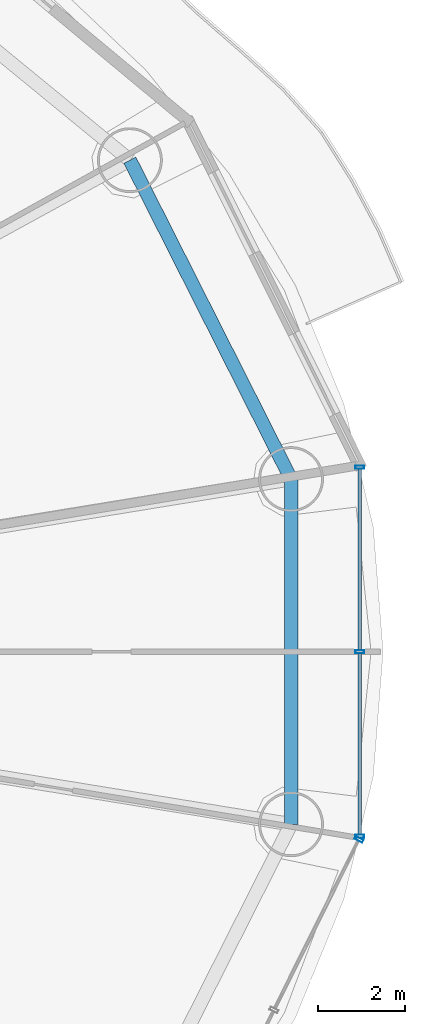
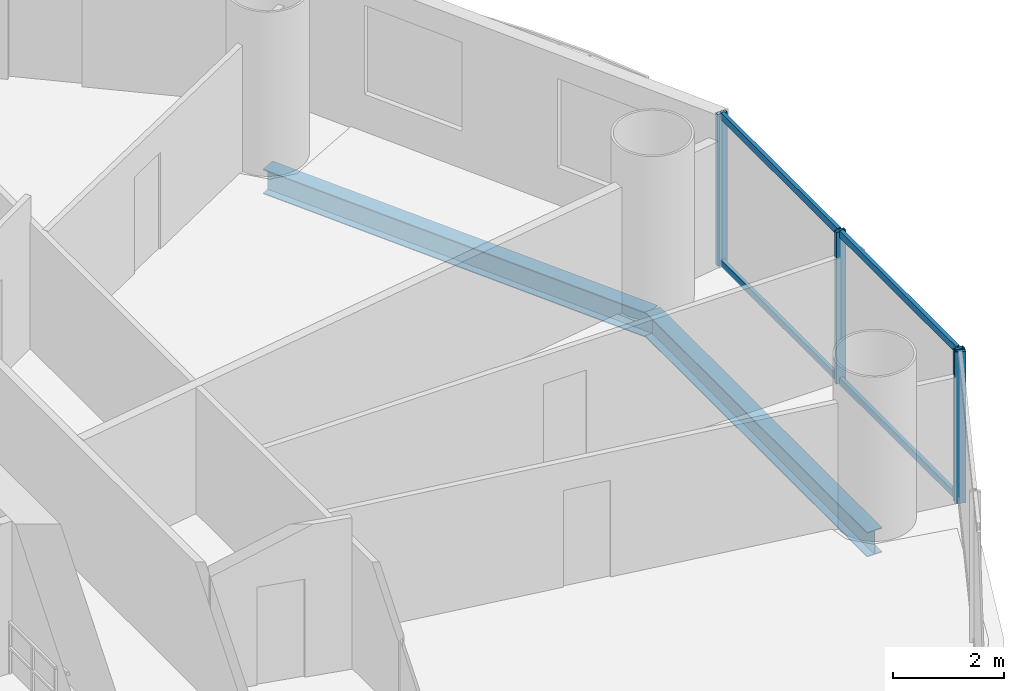
# One storey, part 15 of 29: 8 members, 2 beams, 2 elements without a shape of their own.
"""IFC4 building model written with IfcOpenShell, lengths in metres."""

import ifcopenshell
import ifcopenshell.guid

model = None  # the IFC model being written
_history = None  # IfcOwnerHistory: only IFC2X3 demands one
_inside = {}  # id of a spatial element -> (the spatial element, [elements in it])
_under = {}  # id of a project, library or spatial element -> (it, [spatial elements below it])
_declared = {}  # id of a project -> (the project, [libraries it declares])
_typed = {}  # id of a type object -> (the type object, [elements of that type])
_made_of = {}  # id of a material, layer set ... -> (it, [elements and type objects made of it])


def new_model(schema):
    """Start an empty IFC model of exactly this schema.

    Asked for "IFC4X3", IfcOpenShell would pick the latest addendum, in which some entities
    have other attributes; the version numbers below select the first issue.
    IFC2X3 requires an IfcOwnerHistory on every rooted entity: one is made here for all.
    """
    global model, _history
    if schema == "IFC4X3":
        model = ifcopenshell.file(schema_version=(4, 3, 0, 0))
    else:
        model = ifcopenshell.file(schema=schema)
    _inside.clear()
    _under.clear()
    _declared.clear()
    _typed.clear()
    _made_of.clear()
    _history = None
    if model.schema == "IFC2X3":
        org = make("IfcOrganization", Name="unknown")
        user = make(
            "IfcPersonAndOrganization",
            ThePerson=make("IfcPerson", FamilyName="unknown"),
            TheOrganization=org,
        )
        app = make(
            "IfcApplication",
            ApplicationDeveloper=org,
            Version="unknown",
            ApplicationFullName="unknown",
            ApplicationIdentifier="unknown",
        )
        _history = make(
            "IfcOwnerHistory",
            OwningUser=user,
            OwningApplication=app,
            ChangeAction="ADDED",
            CreationDate=0,
        )
    return model


def make(cls, **values):
    """One entity of the class cls with the attributes given. An attribute that is None is left unset."""
    return model.create_entity(
        cls, **{name: value for name, value in values.items() if value is not None}
    )


def rooted(cls, **values):
    """An entity with a GlobalId (a new one), such as an element, a storey or a relation."""
    return make(cls, GlobalId=ifcopenshell.guid.new(), OwnerHistory=_history, **values)


def si_unit(unit_type, name, prefix=None):
    """IfcSIUnit, for example si_unit("LENGTHUNIT", "METRE", prefix="MILLI")."""
    return make("IfcSIUnit", UnitType=unit_type, Prefix=prefix, Name=name)


def assignment(units):
    """IfcUnitAssignment: the units of a project."""
    return None if units is None else make("IfcUnitAssignment", Units=units)


def point(xyz):
    """IfcCartesianPoint."""
    return None if xyz is None else make("IfcCartesianPoint", Coordinates=xyz)


def direction(xyz):
    """IfcDirection."""
    return None if xyz is None else make("IfcDirection", DirectionRatios=xyz)


def frame(location, z_axis=None, x_axis=None):
    """IfcAxis2Placement3D, a coordinate frame: its origin and axes. An axis left out is left unset."""
    return make(
        "IfcAxis2Placement3D",
        Location=point(location),
        Axis=direction(z_axis),
        RefDirection=direction(x_axis),
    )


def frame_2d(location, x_axis=None):
    """IfcAxis2Placement2D, a coordinate frame in the plane: its origin and x axis."""
    return make(
        "IfcAxis2Placement2D", Location=point(location), RefDirection=direction(x_axis)
    )


def origin():
    """The frame at (0, 0, 0) with its axes left unset."""
    return frame((0.0, 0.0, 0.0))


def origin_2d():
    """The frame at (0, 0) in the plane with its x axis left unset."""
    return frame_2d((0.0, 0.0))


def place(relative_to, where):
    """IfcLocalPlacement: puts the frame where relative to a parent placement (None: the world)."""
    return make(
        "IfcLocalPlacement", PlacementRelTo=relative_to, RelativePlacement=where
    )


def context(
    kind, dimensions, precision=None, world=None, true_north=None, identifier=None
):
    """IfcGeometricRepresentationContext, for example the 3D "Model" context."""
    return make(
        "IfcGeometricRepresentationContext",
        ContextIdentifier=identifier,
        ContextType=kind,
        CoordinateSpaceDimension=dimensions,
        Precision=precision,
        WorldCoordinateSystem=world,
        TrueNorth=true_north,
    )


def subcontext(parent, identifier, kind, view, scale=None):
    """IfcGeometricRepresentationSubContext, for example "Body" below "Model"."""
    return make(
        "IfcGeometricRepresentationSubContext",
        ContextIdentifier=identifier,
        ContextType=kind,
        ParentContext=parent,
        TargetScale=scale,
        TargetView=view,
    )


def project(units=None, contexts=None):
    """IfcProject with its units and contexts."""
    return rooted(
        "IfcProject",
        Name="project",
        RepresentationContexts=contexts,
        UnitsInContext=assignment(units),
    )


def spatial(cls, under=None, at=None, **own):
    """A site, building, storey or space (cls), placed at a placement, below another one or the project."""
    s = rooted(cls, ObjectPlacement=at, **own)
    if under is not None:
        _under.setdefault(under.id(), (under, []))[1].append(s)
    return s


def profile(cls, at=None, kind="AREA", **sizes):
    """A parametric profile (cls). Its sizes go by their IFC names, for example OverallWidth=200.0."""
    return make(cls, ProfileType=kind, Position=at, **sizes)


def hollow_rectangle(**sizes):
    """IfcRectangleHollowProfileDef."""
    return profile("IfcRectangleHollowProfileDef", **sizes)


def i_section(**sizes):
    """IfcIShapeProfileDef."""
    return profile("IfcIShapeProfileDef", **sizes)


def extrude(swept, where, along, depth):
    """IfcExtrudedAreaSolid: the profile swept, set in the frame where, extruded along a direction by depth."""
    return make(
        "IfcExtrudedAreaSolid",
        SweptArea=swept,
        Position=where,
        ExtrudedDirection=direction(along),
        Depth=depth,
    )


def shape(context_of_items, identifier, shape_type, items):
    """IfcShapeRepresentation: the items that make up one representation, for example the "Body"."""
    return make(
        "IfcShapeRepresentation",
        ContextOfItems=context_of_items,
        RepresentationIdentifier=identifier,
        RepresentationType=shape_type,
        Items=items,
    )


def source(mapping_origin, context_of_items, identifier, shape_type, items):
    """IfcRepresentationMap: a shape defined once, which mapped items show again and again."""
    return make(
        "IfcRepresentationMap",
        MappingOrigin=mapping_origin,
        MappedRepresentation=shape(context_of_items, identifier, shape_type, items),
    )


def transform(
    local_origin,
    x_axis=None,
    y_axis=None,
    z_axis=None,
    scale=None,
    scale2=None,
    scale3=None,
    uniform=True,
):
    """IfcCartesianTransformationOperator3D, or its non-uniform kind. x_axis, y_axis, z_axis: its Axis1, 2, 3."""
    if uniform:
        return make(
            "IfcCartesianTransformationOperator3D",
            Axis1=direction(x_axis),
            Axis2=direction(y_axis),
            LocalOrigin=point(local_origin),
            Scale=scale,
            Axis3=direction(z_axis),
        )
    return make(
        "IfcCartesianTransformationOperator3DnonUniform",
        Axis1=direction(x_axis),
        Axis2=direction(y_axis),
        LocalOrigin=point(local_origin),
        Scale=scale,
        Axis3=direction(z_axis),
        Scale2=scale2,
        Scale3=scale3,
    )


def mapped(mapping_source, mapping_target):
    """IfcMappedItem: shows the shape of a source again, moved by a transform."""
    return make(
        "IfcMappedItem", MappingSource=mapping_source, MappingTarget=mapping_target
    )


def material(Name=None, Category=None):
    """IfcMaterial."""
    return make("IfcMaterial", Name=Name, Category=Category)


def material_profile(
    of_material, cross_section, Name=None, Category=None, Priority=None
):
    """IfcMaterialProfile: a cross section and its material."""
    return make(
        "IfcMaterialProfile",
        Name=Name,
        Material=of_material,
        Profile=cross_section,
        Priority=Priority,
        Category=Category,
    )


def profile_set(profiles, Name=None, composite=None):
    """IfcMaterialProfileSet."""
    return make(
        "IfcMaterialProfileSet",
        Name=Name,
        MaterialProfiles=profiles,
        CompositeProfile=composite,
    )


def made_of(thing, what):
    """Note that an element or type object is made of a material, layer set ...; save() writes the relation."""
    if what is not None:
        _made_of.setdefault(what.id(), (what, []))[1].append(thing)
    return thing


def type_object(cls, material=None, **own):
    """A type object (cls), such as IfcWallType, which elements share."""
    return made_of(rooted(cls, **own), material)


def element(
    cls,
    number,
    at=None,
    inside=None,
    cuts=None,
    type_object=None,
    material=None,
    context=None,
    identifier="Body",
    shape_type=None,
    held_by="IfcProductDefinitionShape",
    body=None,
    shapes=None,
    **own,
):
    """One element of the class cls, such as IfcWall. Its Tag is "e" and its number.

    at: its placement. inside: the storey or other place that contains it. cuts: it is an
    opening in that element (IfcRelVoidsElement). A single representation is given by context,
    identifier, shape_type and body (its items); several are given by shapes. held_by: the class
    of the entity that holds the representations. save() writes the other relations.
    """
    e = rooted(cls, Tag="e%d" % number, ObjectPlacement=at, **own)
    if body is not None:
        shapes = [shape(context, identifier, shape_type, body)]
    if shapes is not None:
        e.Representation = make(held_by, Representations=shapes)
    if inside is not None:
        _inside.setdefault(inside.id(), (inside, []))[1].append(e)
    if cuts is not None:
        rooted(
            "IfcRelVoidsElement", RelatingBuildingElement=cuts, RelatedOpeningElement=e
        )
    if type_object is not None:
        _typed.setdefault(type_object.id(), (type_object, []))[1].append(e)
    return made_of(e, material)


def aggregate(whole, parts):
    """IfcRelAggregates: a whole, such as a stair, and the parts it consists of."""
    return rooted("IfcRelAggregates", RelatingObject=whole, RelatedObjects=parts)


def save(model, path):
    """Write the relations noted so far, then the file.

    IfcRelAggregates (storeys below a building ...), IfcRelContainedInSpatialStructure (elements
    in a storey), IfcRelDefinesByType, IfcRelAssociatesMaterial and IfcRelDeclares: one each for
    every whole, place, type object, material and project.
    """
    for whole, parts in _under.values():
        aggregate(whole, parts)
    for where, things in _inside.values():
        rooted(
            "IfcRelContainedInSpatialStructure",
            RelatedElements=things,
            RelatingStructure=where,
        )
    for kind, things in _typed.values():
        rooted("IfcRelDefinesByType", RelatedObjects=things, RelatingType=kind)
    for what, things in _made_of.values():
        rooted("IfcRelAssociatesMaterial", RelatedObjects=things, RelatingMaterial=what)
    for by, libraries in _declared.values():
        rooted("IfcRelDeclares", RelatingContext=by, RelatedDefinitions=libraries)
    model.write(path)


model = new_model("IFC4")

# Units and contexts
model_context = context("Model", 3, precision=1e-05, world=origin(), true_north=direction((-0.2419218956, 0.970295726276)))
body_context = subcontext(model_context, "Body", "Model", "MODEL_VIEW")
ifc_project = project(units=[si_unit("LENGTHUNIT", "METRE"), si_unit("AREAUNIT", "SQUARE_METRE"), si_unit("VOLUMEUNIT", "CUBIC_METRE"), si_unit("PLANEANGLEUNIT", "RADIAN"), si_unit("MASSUNIT", "GRAM", prefix="KILO")], contexts=[model_context])

# Site, building, storey
site_placement = place(None, origin())
site = spatial("IfcSite", under=ifc_project, at=site_placement, CompositionType="ELEMENT")
building_placement = place(site_placement, origin())
building = spatial("IfcBuilding", under=site, at=building_placement, Name="Cobrevalo Terracotta Tower", CompositionType="ELEMENT")
storey_placement = place(building_placement, frame((0.0, 0.0, 83.39990234375)))
storey = spatial("IfcBuildingStorey", under=building, at=storey_placement, Name="L21", CompositionType="ELEMENT", Elevation=83.39990234375)

# Beams
ifc_material_1 = material(Name="Steel S355", Category="steel")
ifc_material_profile_1 = material_profile(ifc_material_1, i_section(OverallWidth=0.31201171875, OverallDepth=0.54296875, WebThickness=0.0126953125, FlangeThickness=0.020263671875, at=origin_2d()), Name="W 530x150")
ifc_profile_set_1 = profile_set([ifc_material_profile_1], Name="Steel S355")
beam_type = type_object("IfcBeamType", Name="Structural Spandrel W 530x150 (Steel S355)", PredefinedType="SPANDREL", material=ifc_profile_set_1)
beam_1_placement = place(storey_placement, frame((62.470703125, 30.78955078125, -0.54638671875), z_axis=(-0.451051982172, 0.892497680321, 0.0), x_axis=(-0.892497680321, -0.451051982172, 0.0)))
element("IfcBeam", 1, at=beam_1_placement, inside=storey, type_object=beam_type, Name="L21 perimeter ring spandrel 01", PredefinedType="SPANDREL", context=body_context, shape_type="SweptSolid", body=[
    extrude(i_section(OverallWidth=0.31201171875, OverallDepth=0.54296875, WebThickness=0.0126953125, FlangeThickness=0.020263671875, at=origin_2d()), origin(), (0.0, 0.0, 1.0), 8.259765625),
])
beam_2_placement = place(storey_placement, frame((62.470703125, 22.810302734375, -0.54638671875), z_axis=(0.0, 1.0, 0.0), x_axis=(-1.0, 0.0, 0.0)))
element("IfcBeam", 2, at=beam_2_placement, inside=storey, type_object=beam_type, Name="L21 perimeter ring spandrel 16", PredefinedType="SPANDREL", context=body_context, shape_type="SweptSolid", body=[
    extrude(i_section(OverallWidth=0.31201171875, OverallDepth=0.54296875, WebThickness=0.0126953125, FlangeThickness=0.020263671875, at=origin_2d()), origin(), (0.0, 0.0, 1.0), 7.979248046875),
])

# Curtain wall, members
ifc_material_2 = material(Name="Anodized aluminium", Category="aluminium")
curtain_wall_type = type_object("IfcCurtainWallType", Name="Lower-tower unitised acoustic low-E curtain wall CW-U1", PredefinedType="NOTDEFINED", material=ifc_material_2)
curtain_wall_1_placement = place(storey_placement, origin())
curtain_wall_1 = element("IfcCurtainWall", 3, at=curtain_wall_1_placement, inside=storey, type_object=curtain_wall_type, Name="L21 curtain wall CW-L21-S16", PredefinedType="NOTDEFINED")
ifc_material_profile_2 = material_profile(ifc_material_2, hollow_rectangle(XDim=0.074951171875, YDim=0.14990234375, WallThickness=0.00439453125, at=origin_2d()), Name="CWT 75x150")
ifc_profile_set_2 = profile_set([ifc_material_profile_2], Name="Anodized aluminium")
member_type_1 = type_object("IfcMemberType", Name="Tower unitised aluminium transom 75x150", PredefinedType="USERDEFINED", material=ifc_profile_set_2)
shared_shape_1 = source(origin(), body_context, "Body", "SweptSolid", [
    extrude(hollow_rectangle(XDim=0.074951171875, YDim=0.14990234375, WallThickness=0.00439453125, at=origin_2d()), origin(), (0.0, 0.0, 1.0), 4.185546875),
])
member_1_placement = place(storey_placement, frame((64.0595703125, 22.574462890625, 0.050048828125), z_axis=(0.0, 1.0, 0.0), x_axis=(-1.0, 0.0, 0.0)))
member_1 = element("IfcMember", 4, at=member_1_placement, type_object=member_type_1, Name="CW-L21-S16 transom B01-T1", ObjectType="TRANSOM", PredefinedType="USERDEFINED", context=body_context, shape_type="MappedRepresentation", body=[
    mapped(shared_shape_1, transform((0.0, 0.0, 0.0), scale=1.0)),
])
member_2_placement = place(storey_placement, frame((64.0595703125, 22.574462890625, 3.275146484375), z_axis=(0.0, 1.0, 0.0), x_axis=(-1.0, 0.0, 0.0)))
member_2 = element("IfcMember", 5, at=member_2_placement, type_object=member_type_1, Name="CW-L21-S16 transom B01-T2", ObjectType="TRANSOM", PredefinedType="USERDEFINED", context=body_context, shape_type="MappedRepresentation", body=[
    mapped(shared_shape_1, transform((0.0, 0.0, 0.0), scale=1.0)),
])
member_3_placement = place(storey_placement, frame((64.0595703125, 26.840087890625, 0.050048828125), z_axis=(0.0, 1.0, 0.0), x_axis=(-1.0, 0.0, 0.0)))
member_3 = element("IfcMember", 6, at=member_3_placement, type_object=member_type_1, Name="CW-L21-S16 transom B02-T1", ObjectType="TRANSOM", PredefinedType="USERDEFINED", context=body_context, shape_type="MappedRepresentation", body=[
    mapped(shared_shape_1, transform((0.0, 0.0, 0.0), scale=1.0)),
])
member_4_placement = place(storey_placement, frame((64.0595703125, 26.840087890625, 3.275146484375), z_axis=(0.0, 1.0, 0.0), x_axis=(-1.0, 0.0, 0.0)))
member_4 = element("IfcMember", 7, at=member_4_placement, type_object=member_type_1, Name="CW-L21-S16 transom B02-T2", ObjectType="TRANSOM", PredefinedType="USERDEFINED", context=body_context, shape_type="MappedRepresentation", body=[
    mapped(shared_shape_1, transform((0.0, 0.0, 0.0), scale=1.0)),
])

# Curtain wall, member
curtain_wall_2_placement = place(storey_placement, origin())
curtain_wall_2 = element("IfcCurtainWall", 8, at=curtain_wall_2_placement, inside=storey, type_object=curtain_wall_type, Name="L21 curtain wall CW-L21-S15", PredefinedType="NOTDEFINED")
ifc_material_profile_3 = material_profile(ifc_material_2, hollow_rectangle(XDim=0.074951171875, YDim=0.199951171875, WallThickness=0.0048828125, at=origin_2d()), Name="CWM 75x200")
ifc_profile_set_3 = profile_set([ifc_material_profile_3], Name="Anodized aluminium")
member_type_2 = type_object("IfcMemberType", Name="Lower/mid tower unitised mullion 75x200", PredefinedType="MULLION", material=ifc_profile_set_3)
shared_shape_2 = source(origin(), body_context, "Body", "SweptSolid", [
    extrude(hollow_rectangle(XDim=0.074951171875, YDim=0.199951171875, WallThickness=0.0048828125, at=origin_2d()), origin(), (0.0, 0.0, 1.0), 3.3251953125),
])
member_5_placement = place(storey_placement, frame((64.04150390625, 22.45849609375, 0.0), z_axis=(0.0, 0.0, 1.0), x_axis=(0.446260290227, 0.894903208937, 0.0)))
member_5 = element("IfcMember", 9, at=member_5_placement, type_object=member_type_2, Name="CW-L21-S15 vertical mullion 03", PredefinedType="MULLION", context=body_context, shape_type="MappedRepresentation", body=[
    mapped(shared_shape_2, transform((0.0, 0.0, 0.0), scale=1.0)),
])
aggregate(curtain_wall_2, [member_5])

# Member
member_6_placement = place(storey_placement, frame((64.0595703125, 22.534423828125, 0.0), z_axis=(0.0, 0.0, 1.0), x_axis=(0.0, 1.0, 0.0)))
member_6 = element("IfcMember", 10, at=member_6_placement, type_object=member_type_2, Name="CW-L21-S16 vertical mullion 01", PredefinedType="MULLION", context=body_context, shape_type="MappedRepresentation", body=[
    mapped(shared_shape_2, transform((0.0, 0.0, 0.0), scale=1.0)),
])

member_7_placement = place(storey_placement, frame((64.0595703125, 26.800048828125, 0.0), z_axis=(0.0, 0.0, 1.0), x_axis=(0.0, 1.0, 0.0)))
member_7 = element("IfcMember", 11, at=member_7_placement, type_object=member_type_2, Name="CW-L21-S16 vertical mullion 02", PredefinedType="MULLION", context=body_context, shape_type="MappedRepresentation", body=[
    mapped(shared_shape_2, transform((0.0, 0.0, 0.0), scale=1.0)),
])

member_8_placement = place(storey_placement, frame((64.0595703125, 31.065673828125, 0.0), z_axis=(0.0, 0.0, 1.0), x_axis=(0.0, 1.0, 0.0)))
member_8 = element("IfcMember", 12, at=member_8_placement, type_object=member_type_2, Name="CW-L21-S16 vertical mullion 03", PredefinedType="MULLION", context=body_context, shape_type="MappedRepresentation", body=[
    mapped(shared_shape_2, transform((0.0, 0.0, 0.0), scale=1.0)),
])

aggregate(curtain_wall_1, [member_6, member_7, member_8, member_1, member_2, member_3, member_4])

save(model, "model.ifc")
